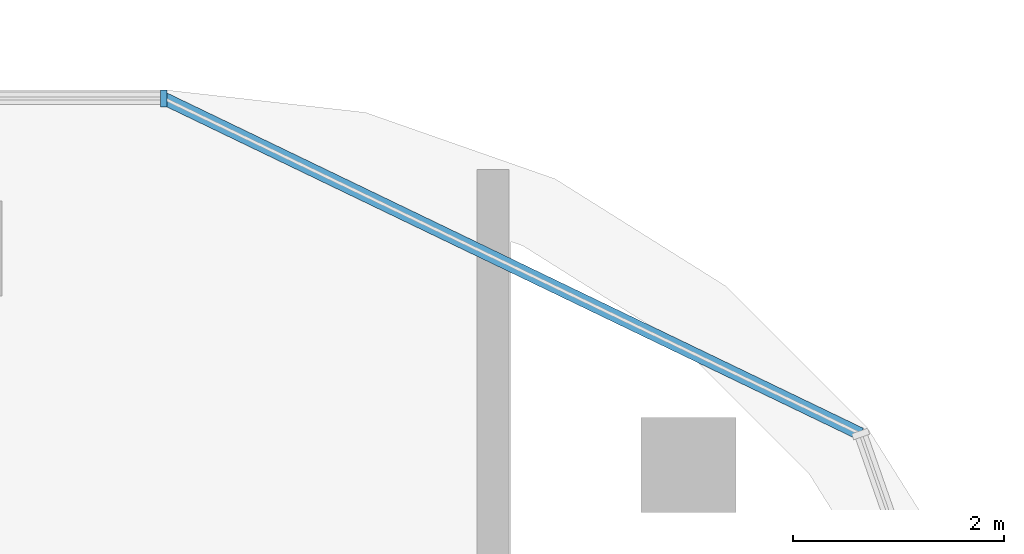
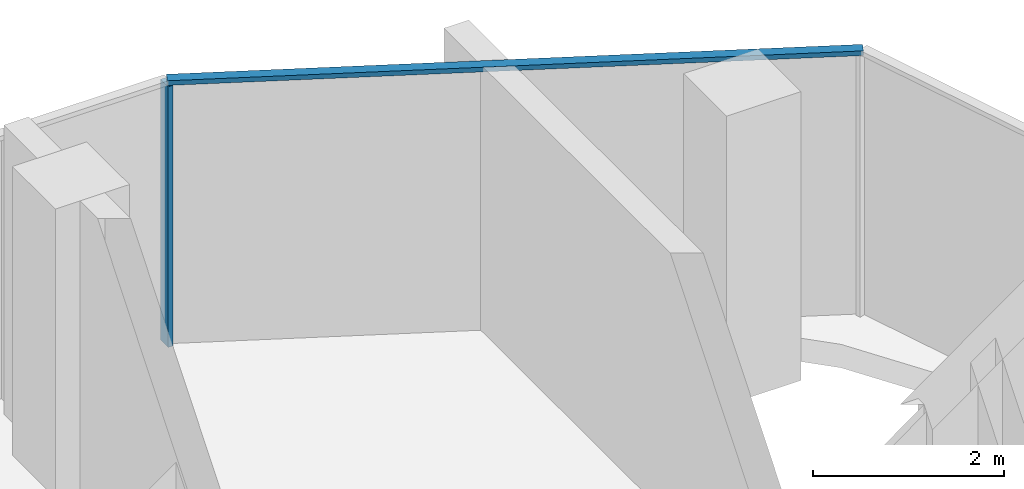
# One storey, part 5 of 19: 2 members, 2 elements without a shape of their own.
"""IFC4 building model written with IfcOpenShell, lengths in metres."""

from ifc_helpers import new_model, si_unit, direction, frame, origin, origin_2d, place, context, subcontext, project, spatial, rectangle, extrude, material, material_profile, profile_set, type_object, element, aggregate, save


model = new_model("IFC4")

# Units and contexts
model_context = context("Model", 3, precision=1e-05, world=origin(), true_north=direction((0.0, 1.0)))
body_context = subcontext(model_context, "Body", "Model", "MODEL_VIEW")
ifc_project = project(units=[si_unit("LENGTHUNIT", "METRE"), si_unit("AREAUNIT", "SQUARE_METRE"), si_unit("VOLUMEUNIT", "CUBIC_METRE"), si_unit("PLANEANGLEUNIT", "RADIAN"), si_unit("MASSUNIT", "GRAM", prefix="KILO")], contexts=[model_context])

# Site, building, storey
site_placement = place(None, origin())
site = spatial("IfcSite", under=ifc_project, at=site_placement, CompositionType="ELEMENT")
building_placement = place(site_placement, origin())
building = spatial("IfcBuilding", under=site, at=building_placement, Name="Ogive Portal Towers", CompositionType="ELEMENT")
storey_placement = place(building_placement, frame((0.0, 0.0, 229.10009765625)))
storey = spatial("IfcBuildingStorey", under=building, at=storey_placement, Name="L57", CompositionType="ELEMENT", Elevation=229.10009765625)

# Curtain wall, member
ifc_material_1 = material(Name="Glass, clear low-iron insulated glazing", Category="glass")
curtain_wall_type = type_object("IfcCurtainWallType", Name="CW FRONT RIBBON 4500", PredefinedType="NOTDEFINED", material=ifc_material_1)
curtain_wall_1_placement = place(storey_placement, origin())
curtain_wall_1 = element("IfcCurtainWall", 1, at=curtain_wall_1_placement, inside=storey, type_object=curtain_wall_type, Name="A:L57:f12:cw0", PredefinedType="NOTDEFINED")
ifc_material_2 = material(Name="Aluminium 6063 anodised", Category="aluminium")
ifc_material_profile_1 = material_profile(ifc_material_2, rectangle(XDim=0.159912109375, YDim=0.06005859375, at=origin_2d()), Name="AL 60x160")
ifc_profile_set_1 = profile_set([ifc_material_profile_1], Name="Aluminium 6063 anodised")
member_type_1 = type_object("IfcMemberType", Name="CW MULLION 60x160", PredefinedType="MULLION", material=ifc_profile_set_1)
member_1_placement = place(storey_placement, frame((87.481689453125, 40.919921875, 0.0), z_axis=(0.0, 0.0, 1.0), x_axis=(0.0, -1.0, 0.0)))
member_1 = element("IfcMember", 2, at=member_1_placement, type_object=member_type_1, Name="mullion", PredefinedType="MULLION", context=body_context, shape_type="SweptSolid", body=[
    extrude(rectangle(XDim=0.159912109375, YDim=0.06005859375, at=origin_2d()), origin(), (0.0, 0.0, 1.0), 3.33984375),
])
aggregate(curtain_wall_1, [member_1])

curtain_wall_2_placement = place(storey_placement, origin())
curtain_wall_2 = element("IfcCurtainWall", 3, at=curtain_wall_2_placement, inside=storey, type_object=curtain_wall_type, Name="A:L57:f10:cwa", PredefinedType="NOTDEFINED")
ifc_material_profile_2 = material_profile(ifc_material_2, rectangle(XDim=0.1201171875, YDim=0.06005859375, at=origin_2d()), Name="AL 120x60")
ifc_profile_set_2 = profile_set([ifc_material_profile_2], Name="Aluminium 6063 anodised")
member_type_2 = type_object("IfcMemberType", Name="CW TRANSOM 60x120", PredefinedType="USERDEFINED", material=ifc_profile_set_2)
member_2_placement = place(storey_placement, frame((94.0810546875, 37.741943359375, 3.369873046875), z_axis=(-0.900974646757, 0.433871738997, 0.0), x_axis=(-0.433871738997, -0.900974646757, 0.0)))
member_2 = element("IfcMember", 4, at=member_2_placement, type_object=member_type_2, Name="transom", ObjectType="TRANSOM", PredefinedType="USERDEFINED", context=body_context, shape_type="SweptSolid", body=[
    extrude(rectangle(XDim=0.1201171875, YDim=0.06005859375, at=origin_2d()), origin(), (0.0, 0.0, 1.0), 7.32470703125),
])
aggregate(curtain_wall_2, [member_2])

save(model, "model.ifc")
